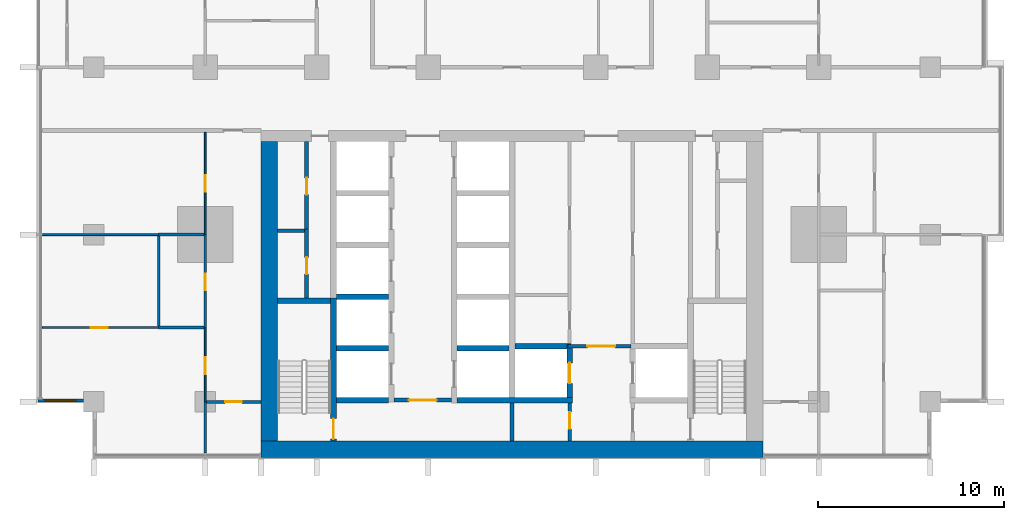
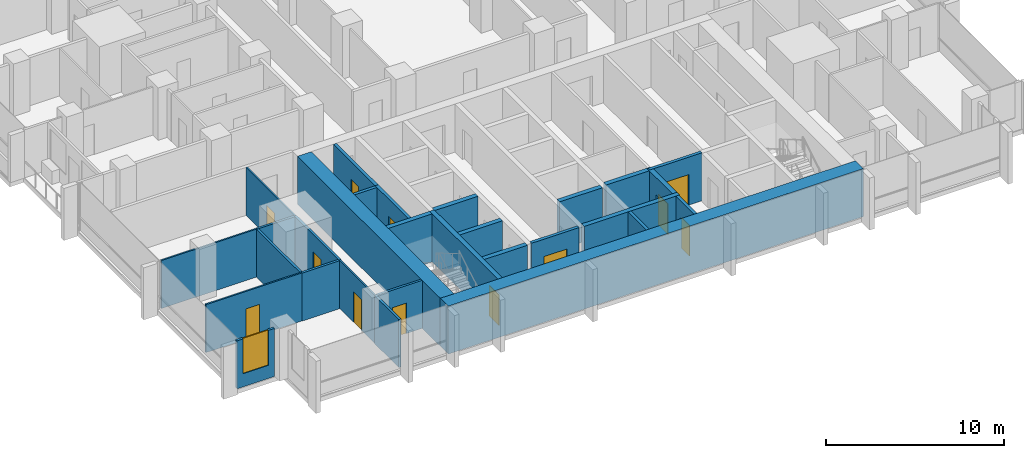
# One storey, part 7 of 18: 29 walls, 12 doors, 1 window, 13 openings.
"""IFC4 building model written with IfcOpenShell, lengths in metres."""

from ifc_helpers import new_model, si_unit, direction, frame, frame_2d, origin, place, context, subcontext, project, spatial, rectangle, extrude, material, layer, layer_set, type_object, element, fill, save


model = new_model("IFC4")

# Units and contexts
model_context = context("Model", 3, precision=1e-05, world=origin(), true_north=direction((0.0, 1.0)))
body_context = subcontext(model_context, "Body", "Model", "MODEL_VIEW")
ifc_project = project(units=[si_unit("LENGTHUNIT", "METRE"), si_unit("AREAUNIT", "SQUARE_METRE"), si_unit("VOLUMEUNIT", "CUBIC_METRE"), si_unit("PLANEANGLEUNIT", "RADIAN"), si_unit("MASSUNIT", "GRAM", prefix="KILO")], contexts=[model_context])

# Site, building, storey
site_placement = place(None, origin())
site = spatial("IfcSite", under=ifc_project, at=site_placement, CompositionType="ELEMENT")
building_placement = place(site_placement, origin())
building = spatial("IfcBuilding", under=site, at=building_placement, Name="Finial Court Residences", CompositionType="ELEMENT")
storey_placement = place(building_placement, frame((0.0, 0.0, 36.10009765625)))
storey = spatial("IfcBuildingStorey", under=building, at=storey_placement, Name="L07", CompositionType="ELEMENT", Elevation=36.10009765625)

# Walls
ifc_material_1 = material(Name="Concrete C80/95", Category="concrete")
ifc_layer_1 = layer(ifc_material_1, 0.89990234375)
ifc_layer_set_1 = layer_set([ifc_layer_1], Name="Core outer wall 900 Concrete C80/95")
wall_type_1 = type_object("IfcWallType", Name="Core outer wall 900 Concrete C80/95", PredefinedType="SHEAR", material=ifc_layer_set_1)
wall_1_placement = place(storey_placement, frame((-13.050048828125, -24.60009765625, 0.0), z_axis=(0.0, 0.0, 1.0), x_axis=(0.0, 1.0, 0.0)))
element("IfcWall", 1, at=wall_1_placement, inside=storey, type_object=wall_type_1, Name="Core outer wall L07-03", PredefinedType="SHEAR", context=body_context, shape_type="SweptSolid", body=[
    extrude(rectangle(XDim=16.10009765625, YDim=0.89990234375, at=frame_2d((8.050048828125, 0.0))), origin(), (0.0, 0.0, 1.0), 3.2998046875),
])
ifc_layer_2 = layer(ifc_material_1, 0.89990234375)
ifc_layer_set_2 = layer_set([ifc_layer_2], Name="Core south facade wall 900 Concrete C80/95")
wall_type_2 = type_object("IfcWallType", Name="Core south facade wall 900 Concrete C80/95", PredefinedType="SHEAR", material=ifc_layer_set_2)
wall_2_placement = place(storey_placement, frame((-13.5, -25.050048828125, 0.0), z_axis=(0.0, 0.0, 1.0), x_axis=(1.0, 0.0, 0.0)))
element("IfcWall", 2, at=wall_2_placement, inside=storey, type_object=wall_type_2, Name="Core outer wall L07-01", PredefinedType="SHEAR", context=body_context, shape_type="SweptSolid", body=[
    extrude(rectangle(XDim=27.0, YDim=0.89990234375, at=frame_2d((13.5, 0.0))), origin(), (0.0, 0.0, 1.0), 3.2998046875),
])

# Wall, opening, door
ifc_material_2 = material(Name="Fire-rated gypsum board partition")
ifc_layer_3 = layer(ifc_material_2, 0.199951171875)
ifc_layer_set_3 = layer_set([ifc_layer_3], Name="Firefighting lobby wall 200 EI 120")
wall_type_3 = type_object("IfcWallType", Name="Firefighting lobby wall 200 EI 120", PredefinedType="PARTITIONING", material=ifc_layer_set_3)
wall_3_placement = place(storey_placement, frame((6.39990234375, -19.5, 0.0), z_axis=(0.0, 0.0, 1.0), x_axis=(-1.0, 0.0, 0.0)))
wall_3 = element("IfcWall", 3, at=wall_3_placement, inside=storey, type_object=wall_type_3, Name="Core partition L07-08", PredefinedType="PARTITIONING", context=body_context, shape_type="SweptSolid", body=[
    extrude(rectangle(XDim=3.375, YDim=0.199951171875, at=frame_2d((1.6875, 0.0))), origin(), (0.0, 0.0, 1.0), 3.2998046875),
])
opening_1_placement = place(wall_3_placement, frame((0.85009765625, 0.0, 0.0)))
opening_1 = element("IfcOpeningElement", 4, at=opening_1_placement, cuts=wall_3, Name="Opening L07-C02", PredefinedType="OPENING", context=body_context, shape_type="SweptSolid", body=[
    extrude(rectangle(XDim=1.5, YDim=2.10009765625, at=frame_2d((0.75, 1.050048828125))), frame((0.0, 0.10986328125, 0.0), z_axis=(0.0, -1.0, 0.0), x_axis=(1.0, 0.0, 0.0)), (0.0, 0.0, 1.0), 0.219970703125),
])
ifc_material_3 = material(Name="Steel fire door", Category="steel")
door_type_1 = type_object("IfcDoorType", Name="Firefighting lobby door 1500 x 2100 EI 90", OperationType="DOUBLE_DOOR_SINGLE_SWING", PredefinedType="DOOR", material=ifc_material_3)
door_1_placement = place(opening_1_placement, origin())
door_1 = element("IfcDoor", 5, at=door_1_placement, inside=storey, type_object=door_type_1, Name="Firefighting lobby door L07-C02", OperationType="DOUBLE_DOOR_SINGLE_SWING", OverallHeight=2.10009765625, OverallWidth=1.5, PredefinedType="DOOR", context=body_context, shape_type="SweptSolid", body=[
    extrude(rectangle(XDim=1.5, YDim=2.10009765625, at=frame_2d((0.75, 1.050048828125))), frame((0.0, 0.02490234375, 0.0), z_axis=(0.0, -1.0, 0.0), x_axis=(1.0, 0.0, 0.0)), (0.0, 0.0, 1.0), 0.050048828125),
])
fill(opening_1, door_1)

wall_4_placement = place(storey_placement, frame((3.10009765625, -24.60009765625, 0.0), z_axis=(0.0, 0.0, 1.0), x_axis=(0.0, 1.0, 0.0)))
wall_4 = element("IfcWall", 6, at=wall_4_placement, inside=storey, type_object=wall_type_3, Name="Core partition L07-29", PredefinedType="PARTITIONING", context=body_context, shape_type="SweptSolid", body=[
    extrude(rectangle(XDim=2.050048828125, YDim=0.199951171875, at=frame_2d((1.02490234375, 0.0))), origin(), (0.0, 0.0, 1.0), 3.2998046875),
])
opening_2_placement = place(wall_4_placement, frame((0.64990234375, 0.0, 0.0)))
opening_2 = element("IfcOpeningElement", 7, at=opening_2_placement, cuts=wall_4, Name="Opening L07-C06", PredefinedType="OPENING", context=body_context, shape_type="SweptSolid", body=[
    extrude(rectangle(XDim=0.89990234375, YDim=2.10009765625, at=frame_2d((0.449951171875, 1.050048828125))), frame((0.0, 0.10986328125, 0.0), z_axis=(0.0, -1.0, 0.0), x_axis=(1.0, 0.0, 0.0)), (0.0, 0.0, 1.0), 0.219970703125),
])
door_type_2 = type_object("IfcDoorType", Name="Riser room door 900 x 2100 EI 90", OperationType="NOTDEFINED", PredefinedType="DOOR", material=ifc_material_3)
door_2_placement = place(opening_2_placement, origin())
door_2 = element("IfcDoor", 8, at=door_2_placement, inside=storey, type_object=door_type_2, Name="Riser room door L07-C06", OperationType="SINGLE_SWING_LEFT", OverallHeight=2.10009765625, OverallWidth=0.89990234375, PredefinedType="DOOR", context=body_context, shape_type="SweptSolid", body=[
    extrude(rectangle(XDim=0.89990234375, YDim=2.10009765625, at=frame_2d((0.449951171875, 1.050048828125))), frame((0.0, 0.02490234375, 0.0), z_axis=(0.0, -1.0, 0.0), x_axis=(1.0, 0.0, 0.0)), (0.0, 0.0, 1.0), 0.050048828125),
])
fill(opening_2, door_2)

ifc_material_4 = material(Name="Gypsum board")
ifc_layer_4 = layer(ifc_material_4, 0.012451171875)
ifc_material_5 = material(Name="Mineral wool in light-gauge frame")
ifc_layer_5 = layer(ifc_material_5, 0.074951171875)
ifc_layer_6 = layer(ifc_material_4, 0.012451171875)
ifc_layer_set_4 = layer_set([ifc_layer_4, ifc_layer_5, ifc_layer_6], Name="Gypsum board partition 100")
wall_type_4 = type_object("IfcWallType", Name="Gypsum board partition 100", PredefinedType="PARTITIONING", material=ifc_layer_set_4)
wall_5_placement = place(storey_placement, frame((-25.25, -18.5, 0.0), z_axis=(0.0, 0.0, 1.0), x_axis=(1.0, 0.0, 0.0)))
wall_5 = element("IfcWall", 9, at=wall_5_placement, inside=storey, type_object=wall_type_4, Name="Partition L07-002", PredefinedType="PARTITIONING", context=body_context, shape_type="SweptSolid", body=[
    extrude(rectangle(XDim=6.25, YDim=0.10009765625, at=frame_2d((3.125, 0.0))), origin(), (0.0, 0.0, 1.0), 3.2998046875),
])
opening_3_placement = place(wall_5_placement, frame((2.60009765625, 0.0, 0.0)))
opening_3 = element("IfcOpeningElement", 10, at=opening_3_placement, cuts=wall_5, Name="Opening L07-D003", PredefinedType="OPENING", context=body_context, shape_type="SweptSolid", body=[
    extrude(rectangle(XDim=0.89990234375, YDim=2.10009765625, at=frame_2d((0.449951171875, 1.050048828125))), frame((0.0, 0.06005859375, 0.0), z_axis=(0.0, -1.0, 0.0), x_axis=(1.0, 0.0, 0.0)), (0.0, 0.0, 1.0), 0.1201171875),
])
ifc_material_6 = material(Name="Timber door leaf in timber frame", Category="wood")
door_type_3 = type_object("IfcDoorType", Name="Door set 900 x 2100", OperationType="SINGLE_SWING_LEFT", PredefinedType="DOOR", material=ifc_material_6)
door_3_placement = place(opening_3_placement, origin())
door_3 = element("IfcDoor", 11, at=door_3_placement, inside=storey, type_object=door_type_3, Name="Door L07-D003", OperationType="SINGLE_SWING_LEFT", OverallHeight=2.10009765625, OverallWidth=0.89990234375, PredefinedType="DOOR", context=body_context, shape_type="SweptSolid", body=[
    extrude(rectangle(XDim=0.89990234375, YDim=2.10009765625, at=frame_2d((0.449951171875, 1.050048828125))), frame((0.0, 0.02490234375, 0.0), z_axis=(0.0, -1.0, 0.0), x_axis=(1.0, 0.0, 0.0)), (0.0, 0.0, 1.0), 0.050048828125),
])
fill(opening_3, door_3)

# Wall
wall_6_placement = place(storey_placement, frame((-25.25, -13.5, 0.0), z_axis=(0.0, 0.0, 1.0), x_axis=(1.0, 0.0, 0.0)))
element("IfcWall", 12, at=wall_6_placement, inside=storey, type_object=wall_type_4, Name="Partition L07-005", PredefinedType="PARTITIONING", context=body_context, shape_type="SweptSolid", body=[
    extrude(rectangle(XDim=6.25, YDim=0.10009765625, at=frame_2d((3.125, 0.0))), origin(), (0.0, 0.0, 1.0), 3.2998046875),
])

# Wall, opening, door
wall_7_placement = place(storey_placement, frame((-16.5, -22.5, 0.0), z_axis=(0.0, 0.0, 1.0), x_axis=(0.0, 1.0, 0.0)))
wall_7 = element("IfcWall", 13, at=wall_7_placement, inside=storey, type_object=wall_type_4, Name="Partition L07-052", PredefinedType="PARTITIONING", context=body_context, shape_type="SweptSolid", body=[
    extrude(rectangle(XDim=4.0, YDim=0.10009765625, at=frame_2d((2.0, 0.0))), origin(), (0.0, 0.0, 1.0), 3.2998046875),
])
opening_4_placement = place(wall_7_placement, frame((1.5, 0.0, 0.0)))
opening_4 = element("IfcOpeningElement", 14, at=opening_4_placement, cuts=wall_7, Name="Opening L07-D037", PredefinedType="OPENING", context=body_context, shape_type="SweptSolid", body=[
    extrude(rectangle(XDim=0.89990234375, YDim=2.10009765625, at=frame_2d((0.449951171875, 1.050048828125))), frame((0.0, 0.06005859375, 0.0), z_axis=(0.0, -1.0, 0.0), x_axis=(1.0, 0.0, 0.0)), (0.0, 0.0, 1.0), 0.1201171875),
])
door_4_placement = place(opening_4_placement, origin())
door_4 = element("IfcDoor", 15, at=door_4_placement, inside=storey, type_object=door_type_3, Name="Door L07-D037", OperationType="SINGLE_SWING_LEFT", OverallHeight=2.10009765625, OverallWidth=0.89990234375, PredefinedType="DOOR", context=body_context, shape_type="SweptSolid", body=[
    extrude(rectangle(XDim=0.89990234375, YDim=2.10009765625, at=frame_2d((0.449951171875, 1.050048828125))), frame((0.0, 0.02490234375, 0.0), z_axis=(0.0, -1.0, 0.0), x_axis=(1.0, 0.0, 0.0)), (0.0, 0.0, 1.0), 0.050048828125),
])
fill(opening_4, door_4)

wall_8_placement = place(storey_placement, frame((-16.5, -13.5, 0.0), z_axis=(0.0, 0.0, 1.0), x_axis=(0.0, 1.0, 0.0)))
wall_8 = element("IfcWall", 16, at=wall_8_placement, inside=storey, type_object=wall_type_4, Name="Partition L07-053", PredefinedType="PARTITIONING", context=body_context, shape_type="SweptSolid", body=[
    extrude(rectangle(XDim=5.5, YDim=0.10009765625, at=frame_2d((2.75, 0.0))), origin(), (0.0, 0.0, 1.0), 3.2998046875),
])
opening_5_placement = place(wall_8_placement, frame((2.300048828125, 0.0, 0.0)))
opening_5 = element("IfcOpeningElement", 17, at=opening_5_placement, cuts=wall_8, Name="Opening L07-D038", PredefinedType="OPENING", context=body_context, shape_type="SweptSolid", body=[
    extrude(rectangle(XDim=0.89990234375, YDim=2.10009765625, at=frame_2d((0.449951171875, 1.050048828125))), frame((0.0, 0.06005859375, 0.0), z_axis=(0.0, -1.0, 0.0), x_axis=(1.0, 0.0, 0.0)), (0.0, 0.0, 1.0), 0.1201171875),
])
door_5_placement = place(opening_5_placement, origin())
door_5 = element("IfcDoor", 18, at=door_5_placement, inside=storey, type_object=door_type_3, Name="Door L07-D038", OperationType="SINGLE_SWING_LEFT", OverallHeight=2.10009765625, OverallWidth=0.89990234375, PredefinedType="DOOR", context=body_context, shape_type="SweptSolid", body=[
    extrude(rectangle(XDim=0.89990234375, YDim=2.10009765625, at=frame_2d((0.449951171875, 1.050048828125))), frame((0.0, 0.02490234375, 0.0), z_axis=(0.0, -1.0, 0.0), x_axis=(1.0, 0.0, 0.0)), (0.0, 0.0, 1.0), 0.050048828125),
])
fill(opening_5, door_5)

ifc_material_7 = material(Name="Moisture-resistant gypsum board")
ifc_layer_7 = layer(ifc_material_7, 0.012451171875)
ifc_layer_8 = layer(ifc_material_5, 0.125)
ifc_layer_9 = layer(ifc_material_7, 0.012451171875)
ifc_layer_set_5 = layer_set([ifc_layer_7, ifc_layer_8, ifc_layer_9], Name="Gypsum board wet-area partition 150")
wall_type_5 = type_object("IfcWallType", Name="Gypsum board wet-area partition 150", PredefinedType="PARTITIONING", material=ifc_layer_set_5)
wall_9_placement = place(storey_placement, frame((-16.425048828125, -22.5, 0.0), z_axis=(0.0, 0.0, 1.0), x_axis=(1.0, 0.0, 0.0)))
wall_9 = element("IfcWall", 19, at=wall_9_placement, inside=storey, type_object=wall_type_5, Name="Partition L07-000", PredefinedType="PARTITIONING", context=body_context, shape_type="SweptSolid", body=[
    extrude(rectangle(XDim=2.925048828125, YDim=0.14990234375, at=frame_2d((1.46240234375, 0.0))), origin(), (0.0, 0.0, 1.0), 3.2998046875),
])
opening_6_placement = place(wall_9_placement, frame((1.0, 0.0, 0.0)))
opening_6 = element("IfcOpeningElement", 20, at=opening_6_placement, cuts=wall_9, Name="Opening L07-D001", PredefinedType="OPENING", context=body_context, shape_type="SweptSolid", body=[
    extrude(rectangle(XDim=0.89990234375, YDim=2.10009765625, at=frame_2d((0.449951171875, 1.050048828125))), frame((0.0, 0.0849609375, 0.0), z_axis=(0.0, -1.0, 0.0), x_axis=(1.0, 0.0, 0.0)), (0.0, 0.0, 1.0), 0.169921875),
])
door_6_placement = place(opening_6_placement, origin())
door_6 = element("IfcDoor", 21, at=door_6_placement, inside=storey, type_object=door_type_3, Name="Door L07-D001", OperationType="SINGLE_SWING_LEFT", OverallHeight=2.10009765625, OverallWidth=0.89990234375, PredefinedType="DOOR", context=body_context, shape_type="SweptSolid", body=[
    extrude(rectangle(XDim=0.89990234375, YDim=2.10009765625, at=frame_2d((0.449951171875, 1.050048828125))), frame((0.0, 0.02490234375, 0.0), z_axis=(0.0, -1.0, 0.0), x_axis=(1.0, 0.0, 0.0)), (0.0, 0.0, 1.0), 0.050048828125),
])
fill(opening_6, door_6)

# Walls
for number, where, z_axis, x_axis, name in (
    (22, (-19.0, -18.5, 0.0), (0.0, 0.0, 1.0), (1.0, 0.0, 0.0), "Partition L07-003"),
    (23, (-19.0, -13.5, 0.0), (0.0, 0.0, 1.0), (1.0, 0.0, 0.0), "Partition L07-007"),
):
    element("IfcWall", number, at=place(storey_placement, frame(where, z_axis=z_axis, x_axis=x_axis)), inside=storey, type_object=wall_type_5, Name=name, PredefinedType="PARTITIONING", context=body_context, shape_type="SweptSolid", body=[
        extrude(rectangle(XDim=2.425048828125, YDim=0.14990234375, at=frame_2d((1.21240234375, 0.0))), origin(), (0.0, 0.0, 1.0), 3.2998046875),
    ])
wall_10_placement = place(storey_placement, frame((-19.0, -18.425048828125, 0.0), z_axis=(0.0, 0.0, 1.0), x_axis=(0.0, 1.0, 0.0)))
element("IfcWall", 24, at=wall_10_placement, inside=storey, type_object=wall_type_5, Name="Partition L07-050", PredefinedType="PARTITIONING", context=body_context, shape_type="SweptSolid", body=[
    extrude(rectangle(XDim=4.85009765625, YDim=0.14990234375, at=frame_2d((2.425048828125, 0.0))), origin(), (0.0, 0.0, 1.0), 3.2998046875),
])
wall_11_placement = place(storey_placement, frame((-16.5, -25.25, 0.0), z_axis=(0.0, 0.0, 1.0), x_axis=(0.0, 1.0, 0.0)))
element("IfcWall", 25, at=wall_11_placement, inside=storey, type_object=wall_type_5, Name="Partition L07-056", PredefinedType="PARTITIONING", context=body_context, shape_type="SweptSolid", body=[
    extrude(rectangle(XDim=2.75, YDim=0.14990234375, at=frame_2d((1.375, 0.0))), origin(), (0.0, 0.0, 1.0), 3.2998046875),
])

# Wall, opening, door
wall_12_placement = place(storey_placement, frame((-16.5, -18.5, 0.0), z_axis=(0.0, 0.0, 1.0), x_axis=(0.0, 1.0, 0.0)))
wall_12 = element("IfcWall", 26, at=wall_12_placement, inside=storey, type_object=wall_type_5, Name="Partition L07-057", PredefinedType="PARTITIONING", context=body_context, shape_type="SweptSolid", body=[
    extrude(rectangle(XDim=5.0, YDim=0.14990234375, at=frame_2d((2.5, 0.0))), origin(), (0.0, 0.0, 1.0), 3.2998046875),
])
opening_7_placement = place(wall_12_placement, frame((2.0, 0.0, 0.0)))
opening_7 = element("IfcOpeningElement", 27, at=opening_7_placement, cuts=wall_12, Name="Opening L07-D040", PredefinedType="OPENING", context=body_context, shape_type="SweptSolid", body=[
    extrude(rectangle(XDim=0.89990234375, YDim=2.10009765625, at=frame_2d((0.449951171875, 1.050048828125))), frame((0.0, 0.0849609375, 0.0), z_axis=(0.0, -1.0, 0.0), x_axis=(1.0, 0.0, 0.0)), (0.0, 0.0, 1.0), 0.169921875),
])
door_7_placement = place(opening_7_placement, origin())
door_7 = element("IfcDoor", 28, at=door_7_placement, inside=storey, type_object=door_type_3, Name="Door L07-D040", OperationType="SINGLE_SWING_RIGHT", OverallHeight=2.10009765625, OverallWidth=0.89990234375, PredefinedType="DOOR", context=body_context, shape_type="SweptSolid", body=[
    extrude(rectangle(XDim=0.89990234375, YDim=2.10009765625, at=frame_2d((0.449951171875, 1.050048828125))), frame((0.0, 0.02490234375, 0.0), z_axis=(0.0, -1.0, 0.0), x_axis=(1.0, 0.0, 0.0)), (0.0, 0.0, 1.0), 0.050048828125),
])
fill(opening_7, door_7)

# Walls
ifc_layer_10 = layer(ifc_material_1, 0.300048828125)
ifc_layer_set_6 = layer_set([ifc_layer_10], Name="Lift shaft and stair wall 300 Concrete C80/95")
wall_type_6 = type_object("IfcWallType", Name="Lift shaft and stair wall 300 Concrete C80/95", PredefinedType="SHEAR", material=ifc_layer_set_6)
wall_13_placement = place(storey_placement, frame((-9.449951171875, -22.39990234375, 0.0), z_axis=(0.0, 0.0, 1.0), x_axis=(1.0, 0.0, 0.0)))
element("IfcWall", 29, at=wall_13_placement, inside=storey, type_object=wall_type_6, Name="Core wall L07-01", PredefinedType="SHEAR", context=body_context, shape_type="SweptSolid", body=[
    extrude(rectangle(XDim=2.800048828125, YDim=0.300048828125, at=frame_2d((1.39990234375, 0.0))), origin(), (0.0, 0.0, 1.0), 3.2998046875),
])
wall_14_placement = place(storey_placement, frame((-2.949951171875, -22.39990234375, 0.0), z_axis=(0.0, 0.0, 1.0), x_axis=(1.0, 0.0, 0.0)))
element("IfcWall", 30, at=wall_14_placement, inside=storey, type_object=wall_type_6, Name="Core wall L07-03", PredefinedType="SHEAR", context=body_context, shape_type="SweptSolid", body=[
    extrude(rectangle(XDim=6.199951171875, YDim=0.300048828125, at=frame_2d((3.10009765625, 0.0))), origin(), (0.0, 0.0, 1.0), 3.2998046875),
])
for number, where, z_axis, x_axis, name in (
    (31, (-9.449951171875, -19.6201171875, 0.0), (0.0, 0.0, 1.0), (1.0, 0.0, 0.0), "Core wall L07-05"),
    (32, (-2.949951171875, -19.6201171875, 0.0), (0.0, 0.0, 1.0), (1.0, 0.0, 0.0), "Core wall L07-06"),
):
    element("IfcWall", number, at=place(storey_placement, frame(where, z_axis=z_axis, x_axis=x_axis)), inside=storey, type_object=wall_type_6, Name=name, PredefinedType="SHEAR", context=body_context, shape_type="SweptSolid", body=[
        extrude(rectangle(XDim=2.800048828125, YDim=0.300048828125, at=frame_2d((1.39990234375, 0.0))), origin(), (0.0, 0.0, 1.0), 3.2998046875),
    ])
wall_15_placement = place(storey_placement, frame((0.14990234375, -19.5, 0.0), z_axis=(0.0, 0.0, 1.0), x_axis=(1.0, 0.0, 0.0)))
element("IfcWall", 33, at=wall_15_placement, inside=storey, type_object=wall_type_6, Name="Core wall L07-07", PredefinedType="SHEAR", context=body_context, shape_type="SweptSolid", body=[
    extrude(rectangle(XDim=3.025146484375, YDim=0.300048828125, at=frame_2d((1.5126953125, 0.0))), origin(), (0.0, 0.0, 1.0), 3.2998046875),
])
wall_16_placement = place(storey_placement, frame((-12.60009765625, -17.050048828125, 0.0), z_axis=(0.0, 0.0, 1.0), x_axis=(1.0, 0.0, 0.0)))
element("IfcWall", 34, at=wall_16_placement, inside=storey, type_object=wall_type_6, Name="Core wall L07-10", PredefinedType="SHEAR", context=body_context, shape_type="SweptSolid", body=[
    extrude(rectangle(XDim=2.85009765625, YDim=0.300048828125, at=frame_2d((1.425048828125, 0.0))), origin(), (0.0, 0.0, 1.0), 3.2998046875),
])
wall_17_placement = place(storey_placement, frame((-9.449951171875, -16.840087890625, 0.0), z_axis=(0.0, 0.0, 1.0), x_axis=(1.0, 0.0, 0.0)))
element("IfcWall", 35, at=wall_17_placement, inside=storey, type_object=wall_type_6, Name="Core wall L07-12", PredefinedType="SHEAR", context=body_context, shape_type="SweptSolid", body=[
    extrude(rectangle(XDim=2.800048828125, YDim=0.300048828125, at=frame_2d((1.39990234375, 0.0))), origin(), (0.0, 0.0, 1.0), 3.2998046875),
])

# Wall, opening, door
wall_18_placement = place(storey_placement, frame((-9.60009765625, -24.60009765625, 0.0), z_axis=(0.0, 0.0, 1.0), x_axis=(0.0, 1.0, 0.0)))
wall_18 = element("IfcWall", 36, at=wall_18_placement, inside=storey, type_object=wall_type_6, Name="Core wall L07-23", PredefinedType="SHEAR", context=body_context, shape_type="SweptSolid", body=[
    extrude(rectangle(XDim=7.7001953125, YDim=0.300048828125, at=frame_2d((3.85009765625, 0.0))), origin(), (0.0, 0.0, 1.0), 3.2998046875),
])
opening_8_placement = place(wall_18_placement, frame((0.10009765625, 0.0, 0.0)))
opening_8 = element("IfcOpeningElement", 37, at=opening_8_placement, cuts=wall_18, Name="Opening L07-C16", PredefinedType="OPENING", context=body_context, shape_type="SweptSolid", body=[
    extrude(rectangle(XDim=1.10009765625, YDim=2.10009765625, at=frame_2d((0.550048828125, 1.050048828125))), frame((0.0, 0.159912109375, 0.0), z_axis=(0.0, -1.0, 0.0), x_axis=(1.0, 0.0, 0.0)), (0.0, 0.0, 1.0), 0.320068359375),
])
door_type_4 = type_object("IfcDoorType", Name="Stair door 1100 x 2100 EI 90", OperationType="NOTDEFINED", PredefinedType="DOOR", material=ifc_material_3)
door_8_placement = place(opening_8_placement, origin())
door_8 = element("IfcDoor", 38, at=door_8_placement, inside=storey, type_object=door_type_4, Name="Stair door L07-C16", OperationType="SINGLE_SWING_LEFT", OverallHeight=2.10009765625, OverallWidth=1.10009765625, PredefinedType="DOOR", context=body_context, shape_type="SweptSolid", body=[
    extrude(rectangle(XDim=1.10009765625, YDim=2.10009765625, at=frame_2d((0.550048828125, 1.050048828125))), frame((0.0, 0.02490234375, 0.0), z_axis=(0.0, -1.0, 0.0), x_axis=(1.0, 0.0, 0.0)), (0.0, 0.0, 1.0), 0.050048828125),
])
fill(opening_8, door_8)

wall_19_placement = place(storey_placement, frame((3.10009765625, -22.25, 0.0), z_axis=(0.0, 0.0, 1.0), x_axis=(0.0, 1.0, 0.0)))
wall_19 = element("IfcWall", 39, at=wall_19_placement, inside=storey, type_object=wall_type_6, Name="Core wall L07-30", PredefinedType="SHEAR", context=body_context, shape_type="SweptSolid", body=[
    extrude(rectangle(XDim=2.85009765625, YDim=0.300048828125, at=frame_2d((1.425048828125, 0.0))), origin(), (0.0, 0.0, 1.0), 3.2998046875),
])
opening_9_placement = place(wall_19_placement, frame((0.75, 0.0, 0.0)))
opening_9 = element("IfcOpeningElement", 40, at=opening_9_placement, cuts=wall_19, Name="Opening L07-LD01", PredefinedType="OPENING", context=body_context, shape_type="SweptSolid", body=[
    extrude(rectangle(XDim=1.10009765625, YDim=2.10009765625, at=frame_2d((0.550048828125, 1.050048828125))), frame((0.0, 0.159912109375, 0.0), z_axis=(0.0, -1.0, 0.0), x_axis=(1.0, 0.0, 0.0)), (0.0, 0.0, 1.0), 0.320068359375),
])
ifc_material_8 = material(Name="Stainless steel lift door", Category="steel")
door_type_5 = type_object("IfcDoorType", Name="Lift landing door 1100 x 2100 EI 90", OperationType="DOUBLE_DOOR_SLIDING", PredefinedType="DOOR", material=ifc_material_8)
door_9_placement = place(opening_9_placement, origin())
door_9 = element("IfcDoor", 41, at=door_9_placement, inside=storey, type_object=door_type_5, Name="Lift landing door FF1 L07", OperationType="DOUBLE_DOOR_SLIDING", OverallHeight=2.10009765625, OverallWidth=1.10009765625, PredefinedType="DOOR", context=body_context, shape_type="SweptSolid", body=[
    extrude(rectangle(XDim=1.10009765625, YDim=2.10009765625, at=frame_2d((0.550048828125, 1.050048828125))), frame((0.0, 0.02490234375, 0.0), z_axis=(0.0, -1.0, 0.0), x_axis=(1.0, 0.0, 0.0)), (0.0, 0.0, 1.0), 0.050048828125),
])
fill(opening_9, door_9)

# Wall, opening, window
ifc_material_9 = material(Name="Natural limestone", Category="masonry")
ifc_layer_11 = layer(ifc_material_9, 0.14990234375)
ifc_layer_set_7 = layer_set([ifc_layer_11], Name="Limestone clad wall 150")
wall_type_7 = type_object("IfcWallType", Name="Limestone clad wall 150", PredefinedType="SOLIDWALL", material=ifc_layer_set_7)
wall_20_placement = place(storey_placement, frame((-23.050048828125, -22.425048828125, 0.0), z_axis=(0.0, 0.0, 1.0), x_axis=(-1.0, 0.0, 0.0)))
wall_20 = element("IfcWall", 42, at=wall_20_placement, inside=storey, type_object=wall_type_7, Name="E-L07-NWS15", PredefinedType="SOLIDWALL", context=body_context, shape_type="SweptSolid", body=[
    extrude(rectangle(XDim=2.449951171875, YDim=0.14990234375, at=frame_2d((1.22509765625, 0.0))), origin(), (0.0, 0.0, 1.0), 3.2998046875),
])
opening_10_placement = place(wall_20_placement, frame((0.39990234375, 0.0, 0.89990234375)))
opening_10 = element("IfcOpeningElement", 43, at=opening_10_placement, cuts=wall_20, Name="Opening WE07-02", PredefinedType="OPENING", context=body_context, shape_type="SweptSolid", body=[
    extrude(rectangle(XDim=1.64990234375, YDim=2.39990234375, at=frame_2d((0.824951171875, 1.199951171875))), frame((0.0, 0.0849609375, 0.0), z_axis=(0.0, -1.0, 0.0), x_axis=(1.0, 0.0, 0.0)), (0.0, 0.0, 1.0), 0.169921875),
])
ifc_material_10 = material(Name="Clear low-e glass", Category="glass")
window_type = type_object("IfcWindowType", Name="Corner window 1650 x 2400", PartitioningType="SINGLE_PANEL", PredefinedType="WINDOW", material=ifc_material_10)
window_placement = place(opening_10_placement, origin())
window = element("IfcWindow", 44, at=window_placement, inside=storey, type_object=window_type, Name="E-L07-NWS15-W1", OverallHeight=2.39990234375, OverallWidth=1.64990234375, PartitioningType="SINGLE_PANEL", PredefinedType="WINDOW", context=body_context, shape_type="SweptSolid", body=[
    extrude(rectangle(XDim=1.64990234375, YDim=2.39990234375, at=frame_2d((0.824951171875, 1.199951171875))), frame((0.0, 0.030029296875, 0.0), z_axis=(0.0, -1.0, 0.0), x_axis=(1.0, 0.0, 0.0)), (0.0, 0.0, 1.0), 0.06005859375),
])
fill(opening_10, window)

# Wall
ifc_layer_12 = layer(ifc_material_2, 0.199951171875)
ifc_layer_set_8 = layer_set([ifc_layer_12], Name="Riser room wall 200 EI 120")
wall_type_8 = type_object("IfcWallType", Name="Riser room wall 200 EI 120", PredefinedType="PARTITIONING", material=ifc_layer_set_8)
wall_21_placement = place(storey_placement, frame((-12.60009765625, -13.300048828125, 0.0), z_axis=(0.0, 0.0, 1.0), x_axis=(1.0, 0.0, 0.0)))
element("IfcWall", 45, at=wall_21_placement, inside=storey, type_object=wall_type_8, Name="Core partition L07-17", PredefinedType="PARTITIONING", context=body_context, shape_type="SweptSolid", body=[
    extrude(rectangle(XDim=1.4501953125, YDim=0.199951171875, at=frame_2d((0.72509765625, 0.0))), origin(), (0.0, 0.0, 1.0), 3.2998046875),
])

# Wall, opening, door
wall_22_placement = place(storey_placement, frame((-11.050048828125, -13.39990234375, 0.0), z_axis=(0.0, 0.0, 1.0), x_axis=(0.0, 1.0, 0.0)))
wall_22 = element("IfcWall", 46, at=wall_22_placement, inside=storey, type_object=wall_type_8, Name="Core partition L07-22", PredefinedType="PARTITIONING", context=body_context, shape_type="SweptSolid", body=[
    extrude(rectangle(XDim=4.89990234375, YDim=0.199951171875, at=frame_2d((2.449951171875, 0.0))), origin(), (0.0, 0.0, 1.0), 3.2998046875),
])
opening_11_placement = place(wall_22_placement, frame((2.050048828125, 0.0, 0.0)))
opening_11 = element("IfcOpeningElement", 47, at=opening_11_placement, cuts=wall_22, Name="Opening L07-C07", PredefinedType="OPENING", context=body_context, shape_type="SweptSolid", body=[
    extrude(rectangle(XDim=0.89990234375, YDim=2.10009765625, at=frame_2d((0.449951171875, 1.050048828125))), frame((0.0, 0.10986328125, 0.0), z_axis=(0.0, -1.0, 0.0), x_axis=(1.0, 0.0, 0.0)), (0.0, 0.0, 1.0), 0.219970703125),
])
door_10_placement = place(opening_11_placement, origin())
door_10 = element("IfcDoor", 48, at=door_10_placement, inside=storey, type_object=door_type_2, Name="Riser room door L07-C07", OperationType="SINGLE_SWING_LEFT", OverallHeight=2.10009765625, OverallWidth=0.89990234375, PredefinedType="DOOR", context=body_context, shape_type="SweptSolid", body=[
    extrude(rectangle(XDim=0.89990234375, YDim=2.10009765625, at=frame_2d((0.449951171875, 1.050048828125))), frame((0.0, 0.02490234375, 0.0), z_axis=(0.0, -1.0, 0.0), x_axis=(1.0, 0.0, 0.0)), (0.0, 0.0, 1.0), 0.050048828125),
])
fill(opening_11, door_10)

# Wall
wall_23_placement = place(storey_placement, frame((0.0, -24.60009765625, 0.0), z_axis=(0.0, 0.0, 1.0), x_axis=(0.0, 1.0, 0.0)))
element("IfcWall", 49, at=wall_23_placement, inside=storey, type_object=wall_type_8, Name="Core partition L07-27", PredefinedType="PARTITIONING", context=body_context, shape_type="SweptSolid", body=[
    extrude(rectangle(XDim=2.050048828125, YDim=0.199951171875, at=frame_2d((1.02490234375, 0.0))), origin(), (0.0, 0.0, 1.0), 3.2998046875),
])

# Wall, opening, door
ifc_layer_13 = layer(ifc_material_2, 0.199951171875)
ifc_layer_set_9 = layer_set([ifc_layer_13], Name="Stair passage wall 200 EI 180")
wall_type_9 = type_object("IfcWallType", Name="Stair passage wall 200 EI 180", PredefinedType="PARTITIONING", material=ifc_layer_set_9)
wall_24_placement = place(storey_placement, frame((-3.25, -22.39990234375, 0.0), z_axis=(0.0, 0.0, 1.0), x_axis=(-1.0, 0.0, 0.0)))
wall_24 = element("IfcWall", 50, at=wall_24_placement, inside=storey, type_object=wall_type_9, Name="Core partition L07-02", PredefinedType="PARTITIONING", context=body_context, shape_type="SweptSolid", body=[
    extrude(rectangle(XDim=3.10009765625, YDim=0.199951171875, at=frame_2d((1.550048828125, 0.0))), origin(), (0.0, 0.0, 1.0), 3.2998046875),
])
opening_12_placement = place(wall_24_placement, frame((0.800048828125, 0.0, 0.0)))
opening_12 = element("IfcOpeningElement", 51, at=opening_12_placement, cuts=wall_24, Name="Opening L07-C03", PredefinedType="OPENING", context=body_context, shape_type="SweptSolid", body=[
    extrude(rectangle(XDim=1.5, YDim=2.10009765625, at=frame_2d((0.75, 1.050048828125))), frame((0.0, 0.10986328125, 0.0), z_axis=(0.0, -1.0, 0.0), x_axis=(1.0, 0.0, 0.0)), (0.0, 0.0, 1.0), 0.219970703125),
])
door_type_6 = type_object("IfcDoorType", Name="Lift lobby door 1500 x 2100 EI 60", OperationType="DOUBLE_DOOR_SINGLE_SWING", PredefinedType="DOOR", material=ifc_material_3)
door_11_placement = place(opening_12_placement, origin())
door_11 = element("IfcDoor", 52, at=door_11_placement, inside=storey, type_object=door_type_6, Name="Lift lobby door L07-C03", OperationType="DOUBLE_DOOR_SINGLE_SWING", OverallHeight=2.10009765625, OverallWidth=1.5, PredefinedType="DOOR", context=body_context, shape_type="SweptSolid", body=[
    extrude(rectangle(XDim=1.5, YDim=2.10009765625, at=frame_2d((0.75, 1.050048828125))), frame((0.0, 0.02490234375, 0.0), z_axis=(0.0, -1.0, 0.0), x_axis=(1.0, 0.0, 0.0)), (0.0, 0.0, 1.0), 0.050048828125),
])
fill(opening_12, door_11)

wall_25_placement = place(storey_placement, frame((-11.050048828125, -16.89990234375, 0.0), z_axis=(0.0, 0.0, 1.0), x_axis=(0.0, 1.0, 0.0)))
wall_25 = element("IfcWall", 53, at=wall_25_placement, inside=storey, type_object=wall_type_9, Name="Core partition L07-21", PredefinedType="PARTITIONING", context=body_context, shape_type="SweptSolid", body=[
    extrude(rectangle(XDim=3.699951171875, YDim=0.199951171875, at=frame_2d((1.85009765625, 0.0))), origin(), (0.0, 0.0, 1.0), 3.2998046875),
])
opening_13_placement = place(wall_25_placement, frame((1.27490234375, 0.0, 0.0)))
opening_13 = element("IfcOpeningElement", 54, at=opening_13_placement, cuts=wall_25, Name="Opening L07-C12", PredefinedType="OPENING", context=body_context, shape_type="SweptSolid", body=[
    extrude(rectangle(XDim=0.89990234375, YDim=2.10009765625, at=frame_2d((0.449951171875, 1.050048828125))), frame((0.0, 0.10986328125, 0.0), z_axis=(0.0, -1.0, 0.0), x_axis=(1.0, 0.0, 0.0)), (0.0, 0.0, 1.0), 0.219970703125),
])
door_type_7 = type_object("IfcDoorType", Name="Core room door 900 x 2100 EI 60", OperationType="NOTDEFINED", PredefinedType="DOOR", material=ifc_material_3)
door_12_placement = place(opening_13_placement, origin())
door_12 = element("IfcDoor", 55, at=door_12_placement, inside=storey, type_object=door_type_7, Name="Core room door L07-C12", OperationType="SINGLE_SWING_LEFT", OverallHeight=2.10009765625, OverallWidth=0.89990234375, PredefinedType="DOOR", context=body_context, shape_type="SweptSolid", body=[
    extrude(rectangle(XDim=0.89990234375, YDim=2.10009765625, at=frame_2d((0.449951171875, 1.050048828125))), frame((0.0, 0.02490234375, 0.0), z_axis=(0.0, -1.0, 0.0), x_axis=(1.0, 0.0, 0.0)), (0.0, 0.0, 1.0), 0.050048828125),
])
fill(opening_13, door_12)

save(model, "model.ifc")
